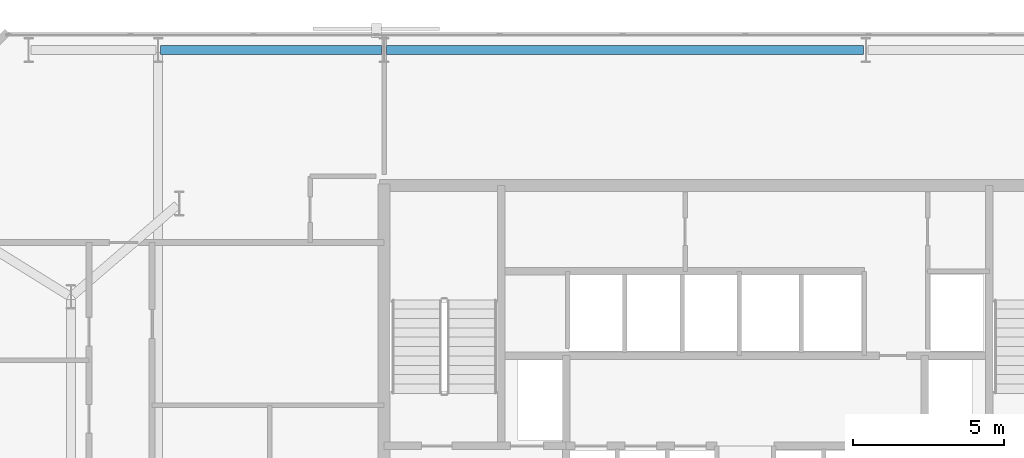
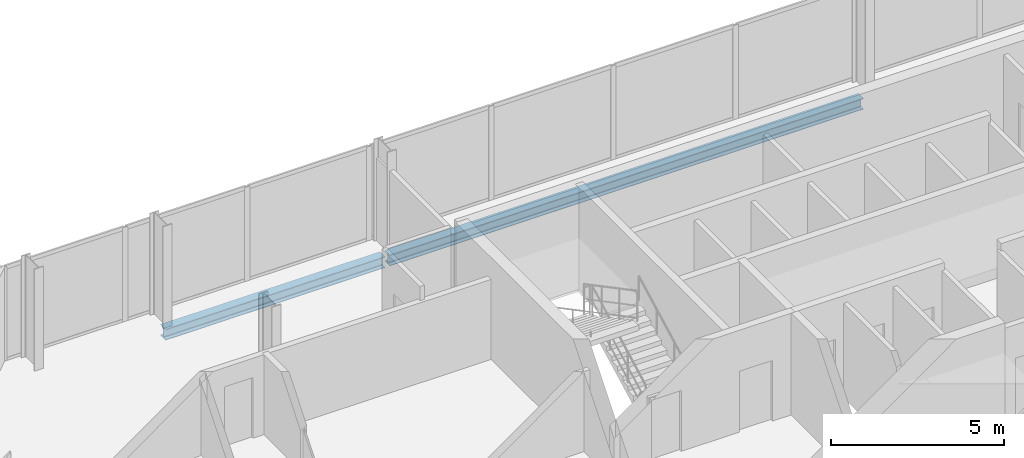
# One storey, part 20 of 32: 2 beams.
"""IFC4 building model written with IfcOpenShell, lengths in metres."""

from ifc_helpers import new_model, si_unit, direction, frame, origin, origin_2d, place, context, subcontext, project, spatial, i_section, extrude, material, material_profile, profile_set, type_object, element, save


model = new_model("IFC4")

# Units and contexts
model_context = context("Model", 3, precision=1e-05, world=origin(), true_north=direction((0.0, 1.0)))
body_context = subcontext(model_context, "Body", "Model", "MODEL_VIEW")
ifc_project = project(units=[si_unit("LENGTHUNIT", "METRE"), si_unit("AREAUNIT", "SQUARE_METRE"), si_unit("VOLUMEUNIT", "CUBIC_METRE"), si_unit("PLANEANGLEUNIT", "RADIAN"), si_unit("MASSUNIT", "GRAM", prefix="KILO")], contexts=[model_context])

# Site, building, storey
site_placement = place(None, origin())
site = spatial("IfcSite", under=ifc_project, at=site_placement, CompositionType="ELEMENT")
building_placement = place(site_placement, origin())
building = spatial("IfcBuilding", under=site, at=building_placement, Name="Catumbela Crestline Tower", CompositionType="ELEMENT")
storey_placement = place(building_placement, frame((0.0, 0.0, 65.4)))
storey = spatial("IfcBuildingStorey", under=building, at=storey_placement, Name="L16", CompositionType="ELEMENT", Elevation=65.4)

# Beams
ifc_material = material(Name="Structural steel S355J2", Category="steel")
ifc_material_profile = material_profile(ifc_material, i_section(OverallWidth=0.3, OverallDepth=0.39, WebThickness=0.011, FlangeThickness=0.019, FilletRadius=0.027, at=origin_2d()), Name="HEA 400")
ifc_profile_set = profile_set([ifc_material_profile], Name="Structural steel S355J2")
beam_type = type_object("IfcBeamType", Name="BS-HEA400", PredefinedType="SPANDREL", material=ifc_profile_set)
beam_1_placement = place(storey_placement, frame((8.58, 47.4, -0.455), z_axis=(1.0, 0.0, 0.0), x_axis=(0.0, 1.0, 0.0)))
element("IfcBeam", 1, at=beam_1_placement, inside=storey, type_object=beam_type, Name="L16 Spandrel SP-L16-NF20", PredefinedType="SPANDREL", context=body_context, shape_type="SweptSolid", body=[
    extrude(i_section(OverallWidth=0.3, OverallDepth=0.39, WebThickness=0.011, FlangeThickness=0.019, FilletRadius=0.027, at=origin_2d()), origin(), (0.0, 0.0, 1.0), 7.34),
])
beam_2_placement = place(storey_placement, frame((16.08, 47.4, -0.455), z_axis=(1.0, 0.0, 0.0), x_axis=(0.0, 1.0, 0.0)))
element("IfcBeam", 2, at=beam_2_placement, inside=storey, type_object=beam_type, Name="L16 Spandrel SP-L16-NF21", PredefinedType="SPANDREL", context=body_context, shape_type="SweptSolid", body=[
    extrude(i_section(OverallWidth=0.3, OverallDepth=0.39, WebThickness=0.011, FlangeThickness=0.019, FilletRadius=0.027, at=origin_2d()), origin(), (0.0, 0.0, 1.0), 15.84),
])

save(model, "model.ifc")
